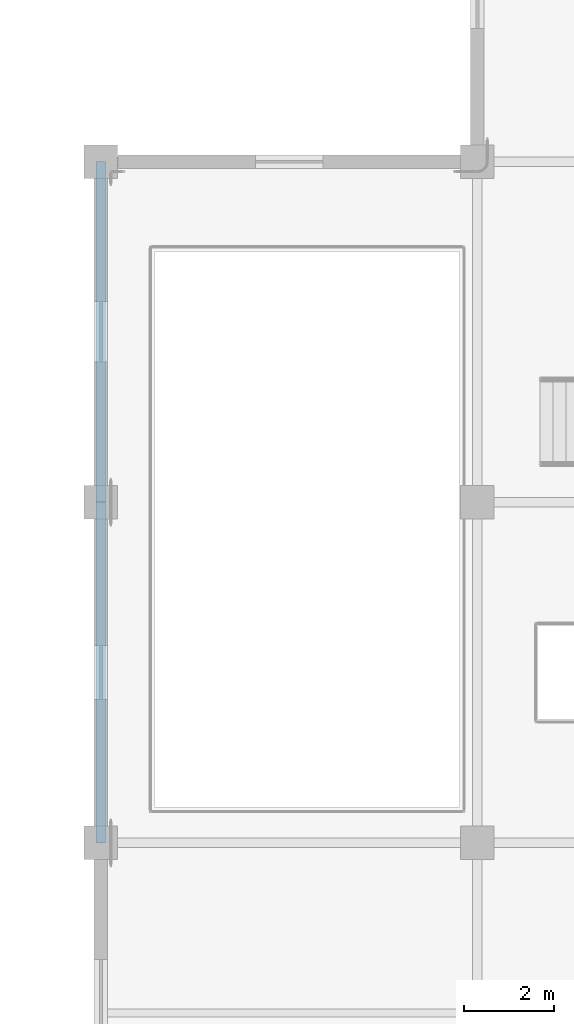
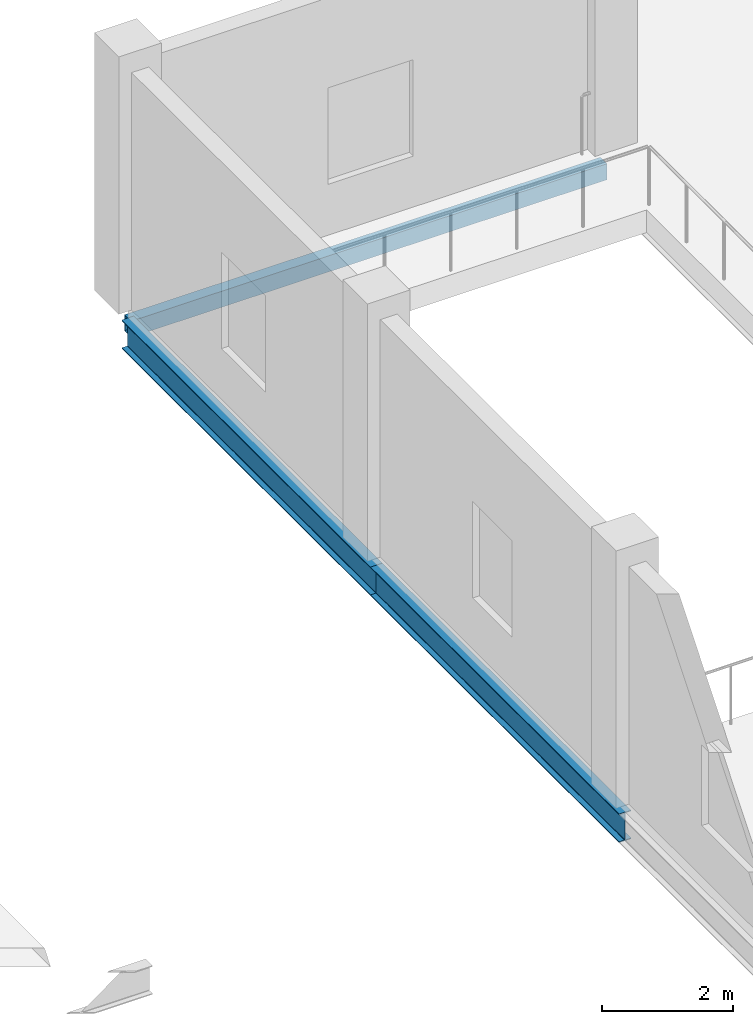
# One storey, part 14 of 51: 3 beams.
"""IFC4 building model written with IfcOpenShell, lengths in metres."""

from ifc_helpers import new_model, si_unit, direction, frame, origin, origin_2d, place, context, subcontext, project, spatial, hollow_rectangle, i_section, extrude, material, material_profile, profile_set, type_object, element, save


model = new_model("IFC4")

# Units and contexts
model_context = context("Model", 3, precision=1e-05, world=origin(), true_north=direction((0.0, 1.0)))
body_context = subcontext(model_context, "Body", "Model", "MODEL_VIEW")
ifc_project = project(units=[si_unit("LENGTHUNIT", "METRE"), si_unit("AREAUNIT", "SQUARE_METRE"), si_unit("VOLUMEUNIT", "CUBIC_METRE"), si_unit("PLANEANGLEUNIT", "RADIAN"), si_unit("MASSUNIT", "GRAM", prefix="KILO")], contexts=[model_context])

# Site, building, storey
site_placement = place(None, origin())
site = spatial("IfcSite", under=ifc_project, at=site_placement, CompositionType="ELEMENT")
building_placement = place(site_placement, origin())
building = spatial("IfcBuilding", under=site, at=building_placement, Name="Zuvorla Pavilion Media Centre", CompositionType="ELEMENT")
storey_placement = place(building_placement, frame((0.0, 0.0, 4.800048828125)))
storey = spatial("IfcBuildingStorey", under=building, at=storey_placement, Name="L01", CompositionType="ELEMENT", Elevation=4.800048828125)

# Beams
ifc_material = material(Name="Steel S355", Category="steel")
ifc_material_profile_1 = material_profile(ifc_material, hollow_rectangle(XDim=0.199951171875, YDim=0.300048828125, WallThickness=0.012451171875, at=origin_2d()), Name="RHS 300x200x12.5")
ifc_profile_set_1 = profile_set([ifc_material_profile_1], Name="Steel S355")
beam_type_1 = type_object("IfcBeamType", Name="BM-SP-RHS300", PredefinedType="SPANDREL", material=ifc_profile_set_1)
beam_1_placement = place(storey_placement, frame((33.199951171875, 28.800048828125, -0.578125), z_axis=(1.0, 0.0, 0.0), x_axis=(0.0, 1.0, 0.0)))
element("IfcBeam", 1, at=beam_1_placement, inside=storey, type_object=beam_type_1, Name="L01 spandrel SP01 477", PredefinedType="SPANDREL", context=body_context, shape_type="SweptSolid", body=[
    extrude(hollow_rectangle(XDim=0.199951171875, YDim=0.300048828125, WallThickness=0.012451171875, at=origin_2d()), origin(), (0.0, 0.0, 1.0), 8.400146484375),
])
ifc_material_profile_2 = material_profile(ifc_material, i_section(OverallWidth=0.2099609375, OverallDepth=0.53662109375, WebThickness=0.0107421875, FlangeThickness=0.017333984375, FilletRadius=0.0126953125, at=origin_2d()), Name="UB 533x210x101")
ifc_profile_set_2 = profile_set([ifc_material_profile_2], Name="Steel S355")
beam_type_2 = type_object("IfcBeamType", Name="BM-UB533", PredefinedType="BEAM", material=ifc_profile_set_2)
beam_2_placement = place(storey_placement, frame((33.199951171875, 13.60009765625, -0.6962890625), z_axis=(0.0, 1.0, 0.0), x_axis=(-1.0, 0.0, 0.0)))
element("IfcBeam", 2, at=beam_2_placement, inside=storey, type_object=beam_type_2, Name="L01 beam B08 582", PredefinedType="BEAM", context=body_context, shape_type="SweptSolid", body=[
    extrude(i_section(OverallWidth=0.2099609375, OverallDepth=0.53662109375, WebThickness=0.0107421875, FlangeThickness=0.017333984375, FilletRadius=0.0126953125, at=origin_2d()), origin(), (0.0, 0.0, 1.0), 7.599853515625),
])
beam_3_placement = place(storey_placement, frame((33.199951171875, 21.199951171875, -0.6962890625), z_axis=(0.0, 1.0, 0.0), x_axis=(-1.0, 0.0, 0.0)))
element("IfcBeam", 3, at=beam_3_placement, inside=storey, type_object=beam_type_2, Name="L01 beam B08 583", PredefinedType="BEAM", context=body_context, shape_type="SweptSolid", body=[
    extrude(i_section(OverallWidth=0.2099609375, OverallDepth=0.53662109375, WebThickness=0.0107421875, FlangeThickness=0.017333984375, FilletRadius=0.0126953125, at=origin_2d()), origin(), (0.0, 0.0, 1.0), 7.60009765625),
])

save(model, "model.ifc")
